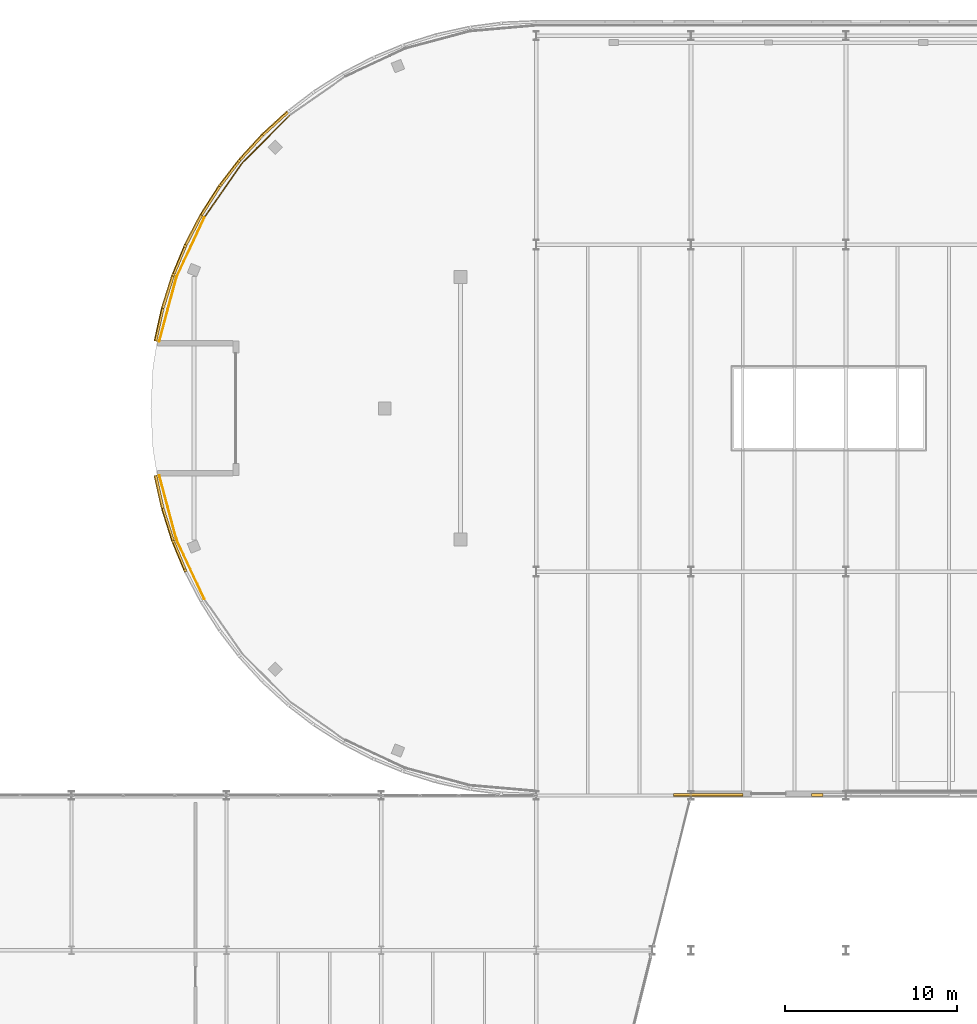
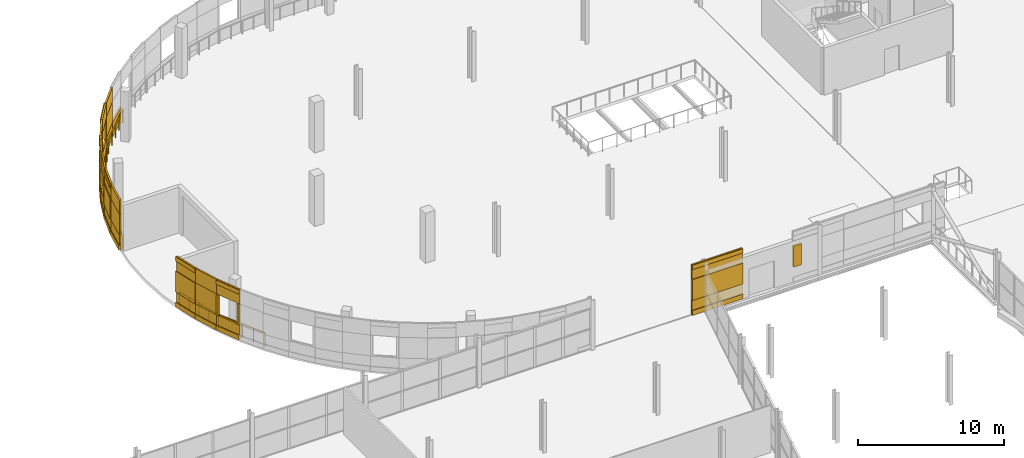
# One storey, part 129 of 140: 56 coverings, 6 railings.
"""IFC4 building model written with IfcOpenShell, lengths in metres."""

from ifc_helpers import new_model, si_unit, direction, frame, origin, origin_2d, place, context, subcontext, project, spatial, rectangle, circle, extrude, material, layer, layer_set, type_object, element, save


model = new_model("IFC4")

# Units and contexts
model_context = context("Model", 3, precision=1e-05, world=origin(), true_north=direction((0.0, 1.0)))
body_context = subcontext(model_context, "Body", "Model", "MODEL_VIEW")
ifc_project = project(units=[si_unit("LENGTHUNIT", "METRE"), si_unit("AREAUNIT", "SQUARE_METRE"), si_unit("VOLUMEUNIT", "CUBIC_METRE"), si_unit("PLANEANGLEUNIT", "RADIAN"), si_unit("MASSUNIT", "GRAM", prefix="KILO")], contexts=[model_context])

# Site, building, storey
site_placement = place(None, origin())
site = spatial("IfcSite", under=ifc_project, at=site_placement, CompositionType="ELEMENT")
building_placement = place(site_placement, origin())
building = spatial("IfcBuilding", under=site, at=building_placement, Name="Deido Ridge Mobility Hub", CompositionType="ELEMENT")
storey_placement = place(building_placement, origin())
storey = spatial("IfcBuildingStorey", under=building, at=storey_placement, Name="L00", CompositionType="ELEMENT", Elevation=0.0)

# Coverings
ifc_material_1 = material(Name="Fired clay brick masonry", Category="masonry")
ifc_layer = layer(ifc_material_1, 0.114990234375, Name="Fired clay brick masonry")
ifc_layer_set = layer_set([ifc_layer], Name="Fired clay brick masonry")
covering_type = type_object("IfcCoveringType", Name="COV-BRK-SCREEN-115", PredefinedType="CLADDING", material=ifc_layer_set)
covering_1_placement = place(storey_placement, frame((29.84912109375, 120.0341796875, 0.0), z_axis=(0.0, 0.0, 1.0), x_axis=(-0.737289127971, -0.675577339596, 0.0)))
element("IfcCovering", 1, at=covering_1_placement, inside=storey, type_object=covering_type, Name="Open brickwork spandrel course BKS1 (L00)", PredefinedType="CLADDING", context=body_context, shape_type="SweptSolid", body=[
    extrude(rectangle(XDim=1.9619140625, YDim=0.125, at=origin_2d()), origin(), (0.0, 0.0, 1.0), 1.25),
])
covering_2_placement = place(storey_placement, frame((29.83056640625, 120.0546875, 0.0), z_axis=(0.0, 0.0, 1.0), x_axis=(-0.737289127971, -0.675577339596, 0.0)))
element("IfcCovering", 2, at=covering_2_placement, inside=storey, type_object=covering_type, Name="Raised brick relief belt BKS1 (L00)", PredefinedType="CLADDING", context=body_context, shape_type="SweptSolid", body=[
    extrude(rectangle(XDim=1.9619140625, YDim=0.179931640625, at=origin_2d()), origin(), (0.0, 0.0, 1.0), 0.39990234375),
])
covering_3_placement = place(storey_placement, frame((28.4658203125, 118.65087890625, 0.0), z_axis=(0.0, 0.0, 1.0), x_axis=(-0.675577339596, -0.737289127971, 0.0)))
element("IfcCovering", 3, at=covering_3_placement, inside=storey, type_object=covering_type, Name="Open brickwork spandrel course BKS1 (L00)", PredefinedType="CLADDING", context=body_context, shape_type="SweptSolid", body=[
    extrude(rectangle(XDim=1.9619140625, YDim=0.125, at=origin_2d()), origin(), (0.0, 0.0, 1.0), 1.25),
])
covering_4_placement = place(storey_placement, frame((28.4453125, 118.66943359375, 0.0), z_axis=(0.0, 0.0, 1.0), x_axis=(-0.675577339596, -0.737289127971, 0.0)))
element("IfcCovering", 4, at=covering_4_placement, inside=storey, type_object=covering_type, Name="Raised brick relief belt BKS1 (L00)", PredefinedType="CLADDING", context=body_context, shape_type="SweptSolid", body=[
    extrude(rectangle(XDim=1.9619140625, YDim=0.179931640625, at=origin_2d()), origin(), (0.0, 0.0, 1.0), 0.39990234375),
])
covering_5_placement = place(storey_placement, frame((28.4658203125, 118.65087890625, 3.0), z_axis=(0.0, 0.0, 1.0), x_axis=(-0.675577339596, -0.737289127971, 0.0)))
element("IfcCovering", 5, at=covering_5_placement, inside=storey, type_object=covering_type, Name="Open brickwork lintel course BKS1 (L00)", PredefinedType="CLADDING", context=body_context, shape_type="SweptSolid", body=[
    extrude(rectangle(XDim=1.9619140625, YDim=0.125, at=origin_2d()), origin(), (0.0, 0.0, 1.0), 1.199951171875),
])
covering_6_placement = place(storey_placement, frame((28.4658203125, 118.65087890625, 1.25), z_axis=(0.0, 0.0, 1.0), x_axis=(-0.675577339596, -0.737289127971, 0.0)))
element("IfcCovering", 6, at=covering_6_placement, inside=storey, type_object=covering_type, Name="Curved raised brickwork pier BKS1 (L00)", PredefinedType="CLADDING", context=body_context, shape_type="SweptSolid", body=[
    extrude(rectangle(XDim=1.9619140625, YDim=0.125, at=origin_2d()), origin(), (0.0, 0.0, 1.0), 1.75),
])
covering_7_placement = place(storey_placement, frame((27.2080078125, 117.152099609375, 0.0), z_axis=(0.0, 0.0, 1.0), x_axis=(-0.608761429009, -0.793353340291, 0.0)))
element("IfcCovering", 7, at=covering_7_placement, inside=storey, type_object=covering_type, Name="Open brickwork spandrel course BKS1 (L00)", PredefinedType="CLADDING", context=body_context, shape_type="SweptSolid", body=[
    extrude(rectangle(XDim=1.9619140625, YDim=0.125, at=origin_2d()), origin(), (0.0, 0.0, 1.0), 1.25),
])
covering_8_placement = place(storey_placement, frame((27.186279296875, 117.1689453125, 0.0), z_axis=(0.0, 0.0, 1.0), x_axis=(-0.608761429009, -0.793353340291, 0.0)))
element("IfcCovering", 8, at=covering_8_placement, inside=storey, type_object=covering_type, Name="Raised brick relief belt BKS1 (L00)", PredefinedType="CLADDING", context=body_context, shape_type="SweptSolid", body=[
    extrude(rectangle(XDim=1.9619140625, YDim=0.179931640625, at=origin_2d()), origin(), (0.0, 0.0, 1.0), 0.39990234375),
])
covering_9_placement = place(storey_placement, frame((27.2080078125, 117.152099609375, 3.0), z_axis=(0.0, 0.0, 1.0), x_axis=(-0.608761429009, -0.793353340291, 0.0)))
element("IfcCovering", 9, at=covering_9_placement, inside=storey, type_object=covering_type, Name="Open brickwork lintel course BKS1 (L00)", PredefinedType="CLADDING", context=body_context, shape_type="SweptSolid", body=[
    extrude(rectangle(XDim=1.9619140625, YDim=0.125, at=origin_2d()), origin(), (0.0, 0.0, 1.0), 1.199951171875),
])
covering_10_placement = place(storey_placement, frame((27.186279296875, 117.1689453125, 3.83984375), z_axis=(0.0, 0.0, 1.0), x_axis=(-0.608761429009, -0.793353340291, 0.0)))
element("IfcCovering", 10, at=covering_10_placement, inside=storey, type_object=covering_type, Name="Raised brick relief cornice BKS1 (L00)", PredefinedType="CLADDING", context=body_context, shape_type="SweptSolid", body=[
    extrude(rectangle(XDim=1.9619140625, YDim=0.179931640625, at=origin_2d()), origin(), (0.0, 0.0, 1.0), 0.360107421875),
])
for number, where, z_axis, x_axis, name in (
    (11, (27.73486328125, 117.8837890625, 1.25), (0.0, 0.0, 1.0), (-0.608761429009, -0.793353340291, 0.0), "Curved brick jamb nib BKS1 (L00)"),
    (12, (26.6376953125, 116.4541015625, 1.25), (0.0, 0.0, 1.0), (-0.608761429009, -0.793353340291, 0.0), "Curved brick jamb nib BKS1 (L00)"),
):
    element("IfcCovering", number, at=place(storey_placement, frame(where, z_axis=z_axis, x_axis=x_axis)), inside=storey, type_object=covering_type, Name=name, PredefinedType="CLADDING", context=body_context, shape_type="SweptSolid", body=[
        extrude(rectangle(XDim=0.152099609375, YDim=0.179931640625, at=origin_2d()), origin(), (0.0, 0.0, 1.0), 1.75),
    ])
covering_11_placement = place(storey_placement, frame((26.0859375, 115.549560546875, 0.0), z_axis=(0.0, 0.0, 1.0), x_axis=(-0.537314328223, -0.843382068037, 0.0)))
element("IfcCovering", 13, at=covering_11_placement, inside=storey, type_object=covering_type, Name="Open brickwork spandrel course BKS1 (L00)", PredefinedType="CLADDING", context=body_context, shape_type="SweptSolid", body=[
    extrude(rectangle(XDim=1.9619140625, YDim=0.125, at=origin_2d()), origin(), (0.0, 0.0, 1.0), 1.25),
])
covering_12_placement = place(storey_placement, frame((26.062744140625, 115.564208984375, 0.0), z_axis=(0.0, 0.0, 1.0), x_axis=(-0.537314328223, -0.843382068037, 0.0)))
element("IfcCovering", 14, at=covering_12_placement, inside=storey, type_object=covering_type, Name="Raised brick relief belt BKS1 (L00)", PredefinedType="CLADDING", context=body_context, shape_type="SweptSolid", body=[
    extrude(rectangle(XDim=1.9619140625, YDim=0.179931640625, at=origin_2d()), origin(), (0.0, 0.0, 1.0), 0.39990234375),
])
covering_13_placement = place(storey_placement, frame((26.0859375, 115.549560546875, 3.0), z_axis=(0.0, 0.0, 1.0), x_axis=(-0.537314328223, -0.843382068037, 0.0)))
element("IfcCovering", 15, at=covering_13_placement, inside=storey, type_object=covering_type, Name="Open brickwork lintel course BKS1 (L00)", PredefinedType="CLADDING", context=body_context, shape_type="SweptSolid", body=[
    extrude(rectangle(XDim=1.9619140625, YDim=0.125, at=origin_2d()), origin(), (0.0, 0.0, 1.0), 1.199951171875),
])
covering_14_placement = place(storey_placement, frame((26.0859375, 115.549560546875, 1.25), z_axis=(0.0, 0.0, 1.0), x_axis=(-0.537314328223, -0.843382068037, 0.0)))
element("IfcCovering", 16, at=covering_14_placement, inside=storey, type_object=covering_type, Name="Curved raised brickwork pier BKS1 (L00)", PredefinedType="CLADDING", context=body_context, shape_type="SweptSolid", body=[
    extrude(rectangle(XDim=1.9619140625, YDim=0.125, at=origin_2d()), origin(), (0.0, 0.0, 1.0), 1.75),
])
covering_15_placement = place(storey_placement, frame((25.107666015625, 113.855224609375, 0.0), z_axis=(0.0, 0.0, 1.0), x_axis=(-0.461733131905, -0.887018892077, 0.0)))
element("IfcCovering", 17, at=covering_15_placement, inside=storey, type_object=covering_type, Name="Open brickwork spandrel course BKS1 (L00)", PredefinedType="CLADDING", context=body_context, shape_type="SweptSolid", body=[
    extrude(rectangle(XDim=1.9619140625, YDim=0.125, at=origin_2d()), origin(), (0.0, 0.0, 1.0), 1.25),
])
covering_16_placement = place(storey_placement, frame((25.083251953125, 113.867919921875, 0.0), z_axis=(0.0, 0.0, 1.0), x_axis=(-0.461733131905, -0.887018892077, 0.0)))
element("IfcCovering", 18, at=covering_16_placement, inside=storey, type_object=covering_type, Name="Raised brick relief belt BKS1 (L00)", PredefinedType="CLADDING", context=body_context, shape_type="SweptSolid", body=[
    extrude(rectangle(XDim=1.9619140625, YDim=0.179931640625, at=origin_2d()), origin(), (0.0, 0.0, 1.0), 0.39990234375),
])
covering_17_placement = place(storey_placement, frame((25.107666015625, 113.855224609375, 3.0), z_axis=(0.0, 0.0, 1.0), x_axis=(-0.461733131905, -0.887018892077, 0.0)))
element("IfcCovering", 19, at=covering_17_placement, inside=storey, type_object=covering_type, Name="Open brickwork lintel course BKS1 (L00)", PredefinedType="CLADDING", context=body_context, shape_type="SweptSolid", body=[
    extrude(rectangle(XDim=1.9619140625, YDim=0.125, at=origin_2d()), origin(), (0.0, 0.0, 1.0), 1.199951171875),
])
covering_18_placement = place(storey_placement, frame((25.083251953125, 113.867919921875, 3.83984375), z_axis=(0.0, 0.0, 1.0), x_axis=(-0.461733131905, -0.887018892077, 0.0)))
element("IfcCovering", 20, at=covering_18_placement, inside=storey, type_object=covering_type, Name="Raised brick relief cornice BKS1 (L00)", PredefinedType="CLADDING", context=body_context, shape_type="SweptSolid", body=[
    extrude(rectangle(XDim=1.9619140625, YDim=0.179931640625, at=origin_2d()), origin(), (0.0, 0.0, 1.0), 0.360107421875),
])
covering_19_placement = place(storey_placement, frame((25.083251953125, 113.867919921875, 1.25), z_axis=(0.0, 0.0, 1.0), x_axis=(-0.461733131905, -0.887018892077, 0.0)))
element("IfcCovering", 21, at=covering_19_placement, inside=storey, type_object=covering_type, Name="Curved raised brickwork pier BKS1 (L00)", PredefinedType="CLADDING", context=body_context, shape_type="SweptSolid", body=[
    extrude(rectangle(XDim=1.9619140625, YDim=0.179931640625, at=origin_2d()), origin(), (0.0, 0.0, 1.0), 1.75),
])
covering_20_placement = place(storey_placement, frame((24.281005859375, 112.08203125, 0.0), z_axis=(0.0, 0.0, 1.0), x_axis=(-0.382699557047, -0.923872853285, 0.0)))
element("IfcCovering", 22, at=covering_20_placement, inside=storey, type_object=covering_type, Name="Open brickwork spandrel course BKS1 (L00)", PredefinedType="CLADDING", context=body_context, shape_type="SweptSolid", body=[
    extrude(rectangle(XDim=1.9619140625, YDim=0.125, at=origin_2d()), origin(), (0.0, 0.0, 1.0), 1.25),
])
covering_21_placement = place(storey_placement, frame((24.255615234375, 112.0927734375, 0.0), z_axis=(0.0, 0.0, 1.0), x_axis=(-0.382699557047, -0.923872853285, 0.0)))
element("IfcCovering", 23, at=covering_21_placement, inside=storey, type_object=covering_type, Name="Raised brick relief belt BKS1 (L00)", PredefinedType="CLADDING", context=body_context, shape_type="SweptSolid", body=[
    extrude(rectangle(XDim=1.9619140625, YDim=0.179931640625, at=origin_2d()), origin(), (0.0, 0.0, 1.0), 0.39990234375),
])
covering_22_placement = place(storey_placement, frame((24.281005859375, 112.08203125, 3.0), z_axis=(0.0, 0.0, 1.0), x_axis=(-0.382699557047, -0.923872853285, 0.0)))
element("IfcCovering", 24, at=covering_22_placement, inside=storey, type_object=covering_type, Name="Open brickwork lintel course BKS1 (L00)", PredefinedType="CLADDING", context=body_context, shape_type="SweptSolid", body=[
    extrude(rectangle(XDim=1.9619140625, YDim=0.125, at=origin_2d()), origin(), (0.0, 0.0, 1.0), 1.199951171875),
])
for number, where, z_axis, x_axis, name in (
    (25, (24.600341796875, 112.925048828125, 1.25), (0.0, 0.0, 1.0), (-0.382699557047, -0.923872853285, 0.0), "Curved brick jamb nib BKS1 (L00)"),
    (26, (23.91064453125, 111.26025390625, 1.25), (0.0, 0.0, 1.0), (-0.382699557047, -0.923872853285, 0.0), "Curved brick jamb nib BKS1 (L00)"),
):
    element("IfcCovering", number, at=place(storey_placement, frame(where, z_axis=z_axis, x_axis=x_axis)), inside=storey, type_object=covering_type, Name=name, PredefinedType="CLADDING", context=body_context, shape_type="SweptSolid", body=[
        extrude(rectangle(XDim=0.152099609375, YDim=0.179931640625, at=origin_2d()), origin(), (0.0, 0.0, 1.0), 1.75),
    ])
covering_23_placement = place(storey_placement, frame((23.61181640625, 110.24365234375, 0.0), z_axis=(0.0, 0.0, 1.0), x_axis=(-0.300672508319, -0.95372744678, 0.0)))
element("IfcCovering", 27, at=covering_23_placement, inside=storey, type_object=covering_type, Name="Open brickwork spandrel course BKS1 (L00)", PredefinedType="CLADDING", context=body_context, shape_type="SweptSolid", body=[
    extrude(rectangle(XDim=1.9619140625, YDim=0.125, at=origin_2d()), origin(), (0.0, 0.0, 1.0), 1.25),
])
covering_24_placement = place(storey_placement, frame((23.585693359375, 110.251953125, 0.0), z_axis=(0.0, 0.0, 1.0), x_axis=(-0.300672508319, -0.95372744678, 0.0)))
element("IfcCovering", 28, at=covering_24_placement, inside=storey, type_object=covering_type, Name="Raised brick relief belt BKS1 (L00)", PredefinedType="CLADDING", context=body_context, shape_type="SweptSolid", body=[
    extrude(rectangle(XDim=1.9619140625, YDim=0.179931640625, at=origin_2d()), origin(), (0.0, 0.0, 1.0), 0.39990234375),
])
covering_25_placement = place(storey_placement, frame((23.61181640625, 110.24365234375, 3.0), z_axis=(0.0, 0.0, 1.0), x_axis=(-0.300672508319, -0.95372744678, 0.0)))
element("IfcCovering", 29, at=covering_25_placement, inside=storey, type_object=covering_type, Name="Open brickwork lintel course BKS1 (L00)", PredefinedType="CLADDING", context=body_context, shape_type="SweptSolid", body=[
    extrude(rectangle(XDim=1.9619140625, YDim=0.125, at=origin_2d()), origin(), (0.0, 0.0, 1.0), 1.199951171875),
])
covering_26_placement = place(storey_placement, frame((23.585693359375, 110.251953125, 3.83984375), z_axis=(0.0, 0.0, 1.0), x_axis=(-0.300672508319, -0.95372744678, 0.0)))
element("IfcCovering", 30, at=covering_26_placement, inside=storey, type_object=covering_type, Name="Raised brick relief cornice BKS1 (L00)", PredefinedType="CLADDING", context=body_context, shape_type="SweptSolid", body=[
    extrude(rectangle(XDim=1.9619140625, YDim=0.179931640625, at=origin_2d()), origin(), (0.0, 0.0, 1.0), 0.360107421875),
])
covering_27_placement = place(storey_placement, frame((23.585693359375, 110.251953125, 1.25), z_axis=(0.0, 0.0, 1.0), x_axis=(-0.300672508319, -0.95372744678, 0.0)))
element("IfcCovering", 31, at=covering_27_placement, inside=storey, type_object=covering_type, Name="Curved raised brickwork pier BKS1 (L00)", PredefinedType="CLADDING", context=body_context, shape_type="SweptSolid", body=[
    extrude(rectangle(XDim=1.9619140625, YDim=0.179931640625, at=origin_2d()), origin(), (0.0, 0.0, 1.0), 1.75),
])
covering_28_placement = place(storey_placement, frame((23.10546875, 108.35400390625, 0.0), z_axis=(0.0, 0.0, 1.0), x_axis=(-0.216456653485, -0.976292229387, 0.0)))
element("IfcCovering", 32, at=covering_28_placement, inside=storey, type_object=covering_type, Name="Open brickwork spandrel course BKS1 (L00)", PredefinedType="CLADDING", context=body_context, shape_type="SweptSolid", body=[
    extrude(rectangle(XDim=1.9619140625, YDim=0.125, at=origin_2d()), origin(), (0.0, 0.0, 1.0), 1.25),
])
covering_29_placement = place(storey_placement, frame((23.07861328125, 108.35986328125, 0.0), z_axis=(0.0, 0.0, 1.0), x_axis=(-0.216456653485, -0.976292229387, 0.0)))
element("IfcCovering", 33, at=covering_29_placement, inside=storey, type_object=covering_type, Name="Raised brick relief belt BKS1 (L00)", PredefinedType="CLADDING", context=body_context, shape_type="SweptSolid", body=[
    extrude(rectangle(XDim=1.9619140625, YDim=0.179931640625, at=origin_2d()), origin(), (0.0, 0.0, 1.0), 0.39990234375),
])
covering_30_placement = place(storey_placement, frame((23.10546875, 108.35400390625, 3.0), z_axis=(0.0, 0.0, 1.0), x_axis=(-0.216456653485, -0.976292229387, 0.0)))
element("IfcCovering", 34, at=covering_30_placement, inside=storey, type_object=covering_type, Name="Open brickwork lintel course BKS1 (L00)", PredefinedType="CLADDING", context=body_context, shape_type="SweptSolid", body=[
    extrude(rectangle(XDim=1.9619140625, YDim=0.125, at=origin_2d()), origin(), (0.0, 0.0, 1.0), 1.199951171875),
])
covering_31_placement = place(storey_placement, frame((23.10546875, 108.35400390625, 1.25), z_axis=(0.0, 0.0, 1.0), x_axis=(-0.216456653485, -0.976292229387, 0.0)))
element("IfcCovering", 35, at=covering_31_placement, inside=storey, type_object=covering_type, Name="Curved raised brickwork pier BKS1 (L00)", PredefinedType="CLADDING", context=body_context, shape_type="SweptSolid", body=[
    extrude(rectangle(XDim=1.9619140625, YDim=0.125, at=origin_2d()), origin(), (0.0, 0.0, 1.0), 1.75),
])
covering_32_placement = place(storey_placement, frame((23.10546875, 98.64599609375, 0.0), z_axis=(0.0, 0.0, 1.0), x_axis=(0.216456653485, -0.976292229387, 0.0)))
element("IfcCovering", 36, at=covering_32_placement, inside=storey, type_object=covering_type, Name="Open brickwork spandrel course BKS1 (L00)", PredefinedType="CLADDING", context=body_context, shape_type="SweptSolid", body=[
    extrude(rectangle(XDim=1.9619140625, YDim=0.125, at=origin_2d()), origin(), (0.0, 0.0, 1.0), 1.25),
])
covering_33_placement = place(storey_placement, frame((23.07861328125, 98.64013671875, 0.0), z_axis=(0.0, 0.0, 1.0), x_axis=(0.216456653485, -0.976292229387, 0.0)))
element("IfcCovering", 37, at=covering_33_placement, inside=storey, type_object=covering_type, Name="Raised brick relief belt BKS1 (L00)", PredefinedType="CLADDING", context=body_context, shape_type="SweptSolid", body=[
    extrude(rectangle(XDim=1.9619140625, YDim=0.179931640625, at=origin_2d()), origin(), (0.0, 0.0, 1.0), 0.39990234375),
])
covering_34_placement = place(storey_placement, frame((23.10546875, 98.64599609375, 3.0), z_axis=(0.0, 0.0, 1.0), x_axis=(0.216456653485, -0.976292229387, 0.0)))
element("IfcCovering", 38, at=covering_34_placement, inside=storey, type_object=covering_type, Name="Open brickwork lintel course BKS1 (L00)", PredefinedType="CLADDING", context=body_context, shape_type="SweptSolid", body=[
    extrude(rectangle(XDim=1.9619140625, YDim=0.125, at=origin_2d()), origin(), (0.0, 0.0, 1.0), 1.199951171875),
])
covering_35_placement = place(storey_placement, frame((23.07861328125, 98.64013671875, 3.83984375), z_axis=(0.0, 0.0, 1.0), x_axis=(0.216456653485, -0.976292229387, 0.0)))
element("IfcCovering", 39, at=covering_35_placement, inside=storey, type_object=covering_type, Name="Raised brick relief cornice BKS1 (L00)", PredefinedType="CLADDING", context=body_context, shape_type="SweptSolid", body=[
    extrude(rectangle(XDim=1.9619140625, YDim=0.179931640625, at=origin_2d()), origin(), (0.0, 0.0, 1.0), 0.360107421875),
])
covering_36_placement = place(storey_placement, frame((23.07861328125, 98.64013671875, 1.25), z_axis=(0.0, 0.0, 1.0), x_axis=(0.216456653485, -0.976292229387, 0.0)))
element("IfcCovering", 40, at=covering_36_placement, inside=storey, type_object=covering_type, Name="Curved raised brickwork pier BKS1 (L00)", PredefinedType="CLADDING", context=body_context, shape_type="SweptSolid", body=[
    extrude(rectangle(XDim=1.9619140625, YDim=0.179931640625, at=origin_2d()), origin(), (0.0, 0.0, 1.0), 1.75),
])
covering_37_placement = place(storey_placement, frame((23.61181640625, 96.75634765625, 0.0), z_axis=(0.0, 0.0, 1.0), x_axis=(0.300672508319, -0.95372744678, 0.0)))
element("IfcCovering", 41, at=covering_37_placement, inside=storey, type_object=covering_type, Name="Open brickwork spandrel course BKS1 (L00)", PredefinedType="CLADDING", context=body_context, shape_type="SweptSolid", body=[
    extrude(rectangle(XDim=1.9619140625, YDim=0.125, at=origin_2d()), origin(), (0.0, 0.0, 1.0), 1.25),
])
covering_38_placement = place(storey_placement, frame((23.585693359375, 96.748046875, 0.0), z_axis=(0.0, 0.0, 1.0), x_axis=(0.300672508319, -0.95372744678, 0.0)))
element("IfcCovering", 42, at=covering_38_placement, inside=storey, type_object=covering_type, Name="Raised brick relief belt BKS1 (L00)", PredefinedType="CLADDING", context=body_context, shape_type="SweptSolid", body=[
    extrude(rectangle(XDim=1.9619140625, YDim=0.179931640625, at=origin_2d()), origin(), (0.0, 0.0, 1.0), 0.39990234375),
])
covering_39_placement = place(storey_placement, frame((23.61181640625, 96.75634765625, 3.0), z_axis=(0.0, 0.0, 1.0), x_axis=(0.300672508319, -0.95372744678, 0.0)))
element("IfcCovering", 43, at=covering_39_placement, inside=storey, type_object=covering_type, Name="Open brickwork lintel course BKS1 (L00)", PredefinedType="CLADDING", context=body_context, shape_type="SweptSolid", body=[
    extrude(rectangle(XDim=1.9619140625, YDim=0.125, at=origin_2d()), origin(), (0.0, 0.0, 1.0), 1.199951171875),
])
covering_40_placement = place(storey_placement, frame((23.61181640625, 96.75634765625, 1.25), z_axis=(0.0, 0.0, 1.0), x_axis=(0.300672508319, -0.95372744678, 0.0)))
element("IfcCovering", 44, at=covering_40_placement, inside=storey, type_object=covering_type, Name="Curved raised brickwork pier BKS1 (L00)", PredefinedType="CLADDING", context=body_context, shape_type="SweptSolid", body=[
    extrude(rectangle(XDim=1.9619140625, YDim=0.125, at=origin_2d()), origin(), (0.0, 0.0, 1.0), 1.75),
])
covering_41_placement = place(storey_placement, frame((24.281005859375, 94.91796875, 0.0), z_axis=(0.0, 0.0, 1.0), x_axis=(0.382699557047, -0.923872853285, 0.0)))
element("IfcCovering", 45, at=covering_41_placement, inside=storey, type_object=covering_type, Name="Open brickwork spandrel course BKS1 (L00)", PredefinedType="CLADDING", context=body_context, shape_type="SweptSolid", body=[
    extrude(rectangle(XDim=1.9619140625, YDim=0.125, at=origin_2d()), origin(), (0.0, 0.0, 1.0), 1.25),
])
covering_42_placement = place(storey_placement, frame((24.255615234375, 94.9072265625, 0.0), z_axis=(0.0, 0.0, 1.0), x_axis=(0.382699557047, -0.923872853285, 0.0)))
element("IfcCovering", 46, at=covering_42_placement, inside=storey, type_object=covering_type, Name="Raised brick relief belt BKS1 (L00)", PredefinedType="CLADDING", context=body_context, shape_type="SweptSolid", body=[
    extrude(rectangle(XDim=1.9619140625, YDim=0.179931640625, at=origin_2d()), origin(), (0.0, 0.0, 1.0), 0.39990234375),
])
covering_43_placement = place(storey_placement, frame((24.281005859375, 94.91796875, 3.0), z_axis=(0.0, 0.0, 1.0), x_axis=(0.382699557047, -0.923872853285, 0.0)))
element("IfcCovering", 47, at=covering_43_placement, inside=storey, type_object=covering_type, Name="Open brickwork lintel course BKS1 (L00)", PredefinedType="CLADDING", context=body_context, shape_type="SweptSolid", body=[
    extrude(rectangle(XDim=1.9619140625, YDim=0.125, at=origin_2d()), origin(), (0.0, 0.0, 1.0), 1.199951171875),
])
covering_44_placement = place(storey_placement, frame((24.255615234375, 94.9072265625, 3.83984375), z_axis=(0.0, 0.0, 1.0), x_axis=(0.382699557047, -0.923872853285, 0.0)))
element("IfcCovering", 48, at=covering_44_placement, inside=storey, type_object=covering_type, Name="Raised brick relief cornice BKS1 (L00)", PredefinedType="CLADDING", context=body_context, shape_type="SweptSolid", body=[
    extrude(rectangle(XDim=1.9619140625, YDim=0.179931640625, at=origin_2d()), origin(), (0.0, 0.0, 1.0), 0.360107421875),
])
for number, where, z_axis, x_axis, name in (
    (49, (23.91064453125, 95.73974609375, 1.25), (0.0, 0.0, 1.0), (0.382699557047, -0.923872853285, 0.0), "Curved brick jamb nib BKS1 (L00)"),
    (50, (24.600341796875, 94.074951171875, 1.25), (0.0, 0.0, 1.0), (0.382699557047, -0.923872853285, 0.0), "Curved brick jamb nib BKS1 (L00)"),
):
    element("IfcCovering", number, at=place(storey_placement, frame(where, z_axis=z_axis, x_axis=x_axis)), inside=storey, type_object=covering_type, Name=name, PredefinedType="CLADDING", context=body_context, shape_type="SweptSolid", body=[
        extrude(rectangle(XDim=0.152099609375, YDim=0.179931640625, at=origin_2d()), origin(), (0.0, 0.0, 1.0), 1.75),
    ])
covering_45_placement = place(storey_placement, frame((55.0, 81.052490234375, 0.0), z_axis=(0.0, 0.0, 1.0), x_axis=(1.0, 0.0, 0.0)))
element("IfcCovering", 51, at=covering_45_placement, inside=storey, type_object=covering_type, Name="Open brickwork spandrel course BKS1 (L00)", PredefinedType="CLADDING", context=body_context, shape_type="SweptSolid", body=[
    extrude(rectangle(XDim=4.01611328125, YDim=0.125, at=origin_2d()), origin(), (0.0, 0.0, 1.0), 1.25),
])
covering_46_placement = place(storey_placement, frame((55.0, 81.02490234375, 0.0), z_axis=(0.0, 0.0, 1.0), x_axis=(1.0, 0.0, 0.0)))
element("IfcCovering", 52, at=covering_46_placement, inside=storey, type_object=covering_type, Name="Raised brick relief belt BKS1 (L00)", PredefinedType="CLADDING", context=body_context, shape_type="SweptSolid", body=[
    extrude(rectangle(XDim=4.01611328125, YDim=0.179931640625, at=origin_2d()), origin(), (0.0, 0.0, 1.0), 0.39990234375),
])
covering_47_placement = place(storey_placement, frame((55.0, 81.052490234375, 3.0), z_axis=(0.0, 0.0, 1.0), x_axis=(1.0, 0.0, 0.0)))
element("IfcCovering", 53, at=covering_47_placement, inside=storey, type_object=covering_type, Name="Open brickwork lintel course BKS1 (L00)", PredefinedType="CLADDING", context=body_context, shape_type="SweptSolid", body=[
    extrude(rectangle(XDim=4.01611328125, YDim=0.125, at=origin_2d()), origin(), (0.0, 0.0, 1.0), 1.199951171875),
])
covering_48_placement = place(storey_placement, frame((55.0, 81.02490234375, 3.83984375), z_axis=(0.0, 0.0, 1.0), x_axis=(1.0, 0.0, 0.0)))
element("IfcCovering", 54, at=covering_48_placement, inside=storey, type_object=covering_type, Name="Raised brick relief cornice BKS1 (L00)", PredefinedType="CLADDING", context=body_context, shape_type="SweptSolid", body=[
    extrude(rectangle(XDim=4.01611328125, YDim=0.179931640625, at=origin_2d()), origin(), (0.0, 0.0, 1.0), 0.360107421875),
])
covering_49_placement = place(storey_placement, frame((55.0, 81.02490234375, 1.25), z_axis=(0.0, 0.0, 1.0), x_axis=(1.0, 0.0, 0.0)))
element("IfcCovering", 55, at=covering_49_placement, inside=storey, type_object=covering_type, Name="Raised brick relief panel BKS1 (L00)", PredefinedType="CLADDING", context=body_context, shape_type="SweptSolid", body=[
    extrude(rectangle(XDim=4.008056640625, YDim=0.179931640625, at=origin_2d()), origin(), (0.0, 0.0, 1.0), 1.75),
])
covering_50_placement = place(storey_placement, frame((61.327392578125, 81.02490234375, 1.25), z_axis=(0.0, 0.0, 1.0), x_axis=(1.0, 0.0, 0.0)))
element("IfcCovering", 56, at=covering_50_placement, inside=storey, type_object=covering_type, Name="Open brickwork pier BKS1 (L00)", PredefinedType="CLADDING", context=body_context, shape_type="SweptSolid", body=[
    extrude(rectangle(XDim=0.655029296875, YDim=0.179931640625, at=origin_2d()), origin(), (0.0, 0.0, 1.0), 1.75),
])

# Railings
ifc_material_2 = material(Name="Galvanised steel work", Category="steel")
railing_type = type_object("IfcRailingType", Name="RL-GRD-EXT-1150", PredefinedType="GUARDRAIL", material=ifc_material_2)
railing_1_placement = place(storey_placement, frame((30.669677734375, 120.51611328125, 0.0)))
element("IfcRailing", 57, at=railing_1_placement, inside=storey, type_object=railing_type, Name="Parking drum perimeter guard (L00)", PredefinedType="GUARDRAIL", context=body_context, shape_type="SweptSolid", body=[
    extrude(circle(Radius=0.02392578125, at=origin_2d()), frame((0.0, 0.0, 1.1259765625), z_axis=(-0.707106781187, -0.707106781187, 0.0), x_axis=(0.707106781187, -0.707106781187, 0.0)), (0.0, 0.0, 1.0), 3.79833984375),
    extrude(circle(Radius=0.02099609375, at=origin_2d()), origin(), (0.0, 0.0, 1.0), 1.101806640625),
    extrude(circle(Radius=0.02099609375, at=origin_2d()), frame((-0.67138671875, -0.67138671875, 0.0)), (0.0, 0.0, 1.0), 1.101806640625),
    extrude(circle(Radius=0.02099609375, at=origin_2d()), frame((-1.3427734375, -1.3427734375, 0.0)), (0.0, 0.0, 1.0), 1.101806640625),
    extrude(circle(Radius=0.02099609375, at=origin_2d()), frame((-2.014404296875, -2.014404296875, 0.0)), (0.0, 0.0, 1.0), 1.101806640625),
    extrude(circle(Radius=0.02099609375, at=origin_2d()), frame((-2.685791015625, -2.685791015625, 0.0)), (0.0, 0.0, 1.0), 1.101806640625),
])
railing_2_placement = place(storey_placement, frame((27.9326171875, 117.769287109375, 0.0)))
element("IfcRailing", 58, at=railing_2_placement, inside=storey, type_object=railing_type, Name="Parking drum perimeter guard (L00)", PredefinedType="GUARDRAIL", context=body_context, shape_type="SweptSolid", body=[
    extrude(circle(Radius=0.02392578125, at=origin_2d()), frame((0.0, 0.0, 1.1259765625), z_axis=(-0.573570179609, -0.819156425271, 0.0), x_axis=(0.819156425271, -0.573570179609, 0.0)), (0.0, 0.0, 1.0), 3.798583984375),
    extrude(circle(Radius=0.02099609375, at=origin_2d()), origin(), (0.0, 0.0, 1.0), 1.101806640625),
    extrude(circle(Radius=0.02099609375, at=origin_2d()), frame((-0.544677734375, -0.77783203125, 0.0)), (0.0, 0.0, 1.0), 1.101806640625),
    extrude(circle(Radius=0.02099609375, at=origin_2d()), frame((-1.08935546875, -1.5556640625, 0.0)), (0.0, 0.0, 1.0), 1.101806640625),
    extrude(circle(Radius=0.02099609375, at=origin_2d()), frame((-1.634033203125, -2.333740234375, 0.0)), (0.0, 0.0, 1.0), 1.101806640625),
    extrude(circle(Radius=0.02099609375, at=origin_2d()), frame((-2.1787109375, -3.111572265625, 0.0)), (0.0, 0.0, 1.0), 1.101806640625),
])
railing_3_placement = place(storey_placement, frame((25.714111328125, 114.588623046875, 0.0)))
element("IfcRailing", 59, at=railing_3_placement, inside=storey, type_object=railing_type, Name="Parking drum perimeter guard (L00)", PredefinedType="GUARDRAIL", context=body_context, shape_type="SweptSolid", body=[
    extrude(circle(Radius=0.02392578125, at=origin_2d()), frame((0.0, 0.0, 1.1259765625), z_axis=(-0.422674330627, -0.906281639574, 0.0), x_axis=(0.906281639574, -0.422674330627, 0.0)), (0.0, 0.0, 1.0), 3.79833984375),
    extrude(circle(Radius=0.02099609375, at=origin_2d()), origin(), (0.0, 0.0, 1.0), 1.101806640625),
    extrude(circle(Radius=0.02099609375, at=origin_2d()), frame((-0.4013671875, -0.860595703125, 0.0)), (0.0, 0.0, 1.0), 1.101806640625),
    extrude(circle(Radius=0.02099609375, at=origin_2d()), frame((-0.802734375, -1.72119140625, 0.0)), (0.0, 0.0, 1.0), 1.101806640625),
    extrude(circle(Radius=0.02099609375, at=origin_2d()), frame((-1.2041015625, -2.581787109375, 0.0)), (0.0, 0.0, 1.0), 1.101806640625),
    extrude(circle(Radius=0.02099609375, at=origin_2d()), frame((-1.60546875, -3.4423828125, 0.0)), (0.0, 0.0, 1.0), 1.101806640625),
])
railing_4_placement = place(storey_placement, frame((24.081298828125, 111.0712890625, 0.0)))
element("IfcRailing", 60, at=railing_4_placement, inside=storey, type_object=railing_type, Name="Parking drum perimeter guard (L00)", PredefinedType="GUARDRAIL", context=body_context, shape_type="SweptSolid", body=[
    extrude(circle(Radius=0.02392578125, at=origin_2d()), frame((0.0, 0.0, 1.1259765625), z_axis=(-0.258774639064, -0.965937723757, 0.0), x_axis=(0.965937723757, -0.258774639064, 0.0)), (0.0, 0.0, 1.0), 3.79833984375),
    extrude(circle(Radius=0.02099609375, at=origin_2d()), origin(), (0.0, 0.0, 1.0), 1.101806640625),
    extrude(circle(Radius=0.02099609375, at=origin_2d()), frame((-0.24560546875, -0.917236328125, 0.0)), (0.0, 0.0, 1.0), 1.101806640625),
    extrude(circle(Radius=0.02099609375, at=origin_2d()), frame((-0.491455078125, -1.83447265625, 0.0)), (0.0, 0.0, 1.0), 1.101806640625),
    extrude(circle(Radius=0.02099609375, at=origin_2d()), frame((-0.7373046875, -2.751708984375, 0.0)), (0.0, 0.0, 1.0), 1.101806640625),
    extrude(circle(Radius=0.02099609375, at=origin_2d()), frame((-0.98291015625, -3.6689453125, 0.0)), (0.0, 0.0, 1.0), 1.101806640625),
])
railing_5_placement = place(storey_placement, frame((23.098388671875, 99.59765625, 0.0)))
element("IfcRailing", 61, at=railing_5_placement, inside=storey, type_object=railing_type, Name="Parking drum perimeter guard (L00)", PredefinedType="GUARDRAIL", context=body_context, shape_type="SweptSolid", body=[
    extrude(circle(Radius=0.02392578125, at=origin_2d()), frame((0.0, 0.0, 1.1259765625), z_axis=(0.258774639064, -0.965937723757, 0.0), x_axis=(0.965937723757, 0.258774639064, 0.0)), (0.0, 0.0, 1.0), 3.79833984375),
    extrude(circle(Radius=0.02099609375, at=origin_2d()), origin(), (0.0, 0.0, 1.0), 1.101806640625),
    extrude(circle(Radius=0.02099609375, at=origin_2d()), frame((0.24560546875, -0.917236328125, 0.0)), (0.0, 0.0, 1.0), 1.101806640625),
    extrude(circle(Radius=0.02099609375, at=origin_2d()), frame((0.491455078125, -1.83447265625, 0.0)), (0.0, 0.0, 1.0), 1.101806640625),
    extrude(circle(Radius=0.02099609375, at=origin_2d()), frame((0.7373046875, -2.751708984375, 0.0)), (0.0, 0.0, 1.0), 1.101806640625),
    extrude(circle(Radius=0.02099609375, at=origin_2d()), frame((0.98291015625, -3.6689453125, 0.0)), (0.0, 0.0, 1.0), 1.101806640625),
])
railing_6_placement = place(storey_placement, frame((24.108642578125, 95.853759765625, 0.0)))
element("IfcRailing", 62, at=railing_6_placement, inside=storey, type_object=railing_type, Name="Parking drum perimeter guard (L00)", PredefinedType="GUARDRAIL", context=body_context, shape_type="SweptSolid", body=[
    extrude(circle(Radius=0.02392578125, at=origin_2d()), frame((0.0, 0.0, 1.1259765625), z_axis=(0.422674330627, -0.906281639574, 0.0), x_axis=(0.906281639574, 0.422674330627, 0.0)), (0.0, 0.0, 1.0), 3.79833984375),
    extrude(circle(Radius=0.02099609375, at=origin_2d()), origin(), (0.0, 0.0, 1.0), 1.101806640625),
    extrude(circle(Radius=0.02099609375, at=origin_2d()), frame((0.4013671875, -0.860595703125, 0.0)), (0.0, 0.0, 1.0), 1.101806640625),
    extrude(circle(Radius=0.02099609375, at=origin_2d()), frame((0.802734375, -1.72119140625, 0.0)), (0.0, 0.0, 1.0), 1.101806640625),
    extrude(circle(Radius=0.02099609375, at=origin_2d()), frame((1.2041015625, -2.581787109375, 0.0)), (0.0, 0.0, 1.0), 1.101806640625),
    extrude(circle(Radius=0.02099609375, at=origin_2d()), frame((1.60546875, -3.4423828125, 0.0)), (0.0, 0.0, 1.0), 1.101806640625),
])

save(model, "model.ifc")
